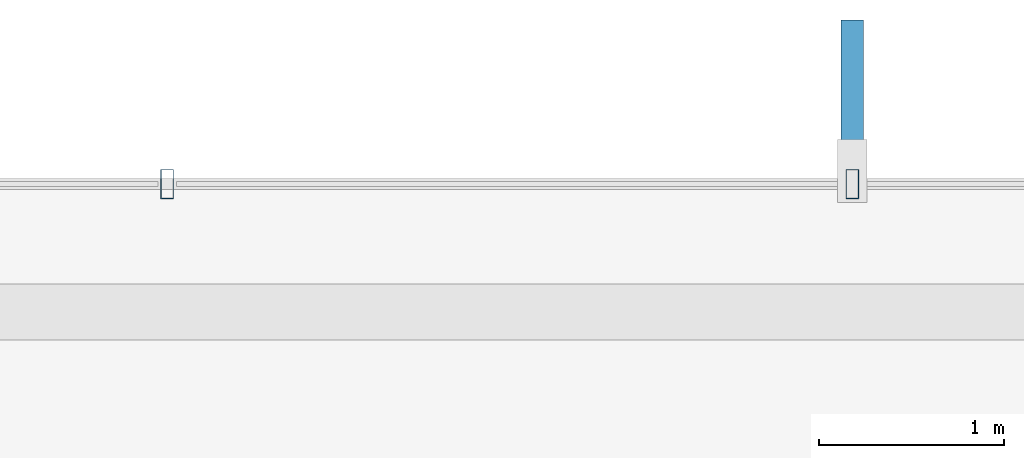
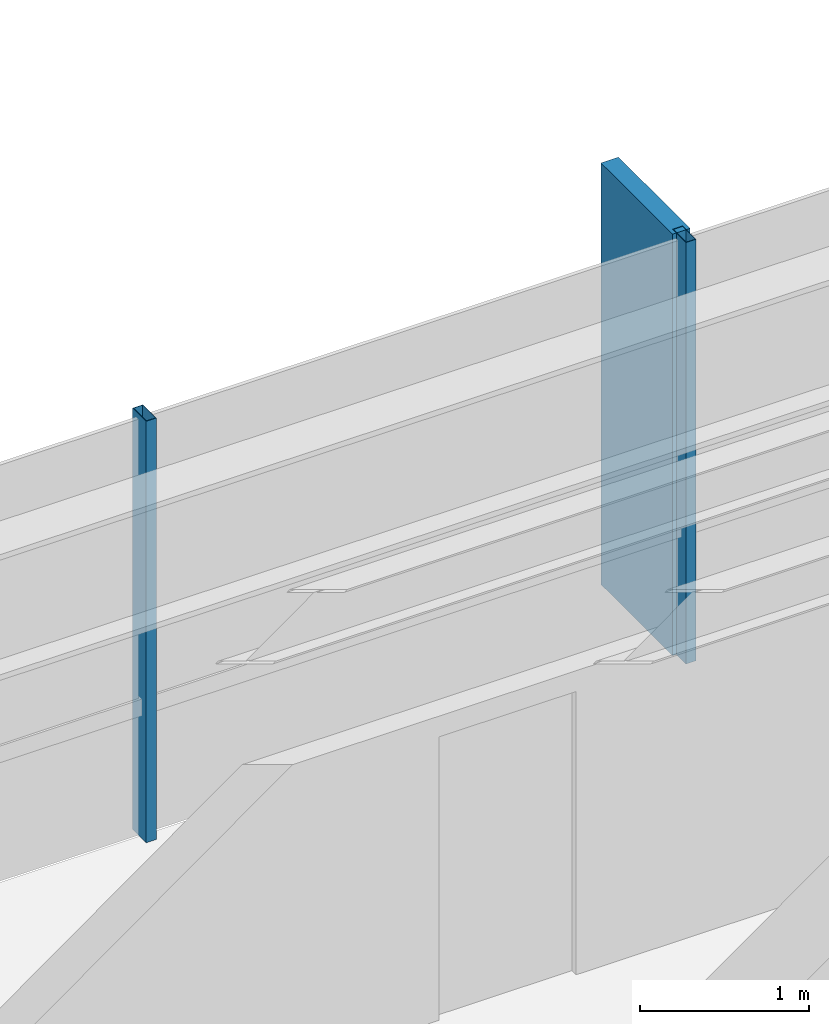
# One storey, part 14 of 24: 3 members, 1 element without a shape of its own.
"""IFC4 building model written with IfcOpenShell, lengths in metres."""

from ifc_helpers import new_model, si_unit, direction, frame, origin, origin_2d, place, context, subcontext, project, spatial, rectangle, hollow_rectangle, extrude, material, layer, layer_set, material_profile, profile_set, type_object, element, aggregate, save


model = new_model("IFC4")

# Units and contexts
model_context = context("Model", 3, precision=1e-05, world=origin(), true_north=direction((0.0, 1.0)))
body_context = subcontext(model_context, "Body", "Model", "MODEL_VIEW")
ifc_project = project(units=[si_unit("LENGTHUNIT", "METRE"), si_unit("AREAUNIT", "SQUARE_METRE"), si_unit("VOLUMEUNIT", "CUBIC_METRE"), si_unit("PLANEANGLEUNIT", "RADIAN"), si_unit("MASSUNIT", "GRAM", prefix="KILO")], contexts=[model_context])

# Site, building, storey
site_placement = place(None, origin())
site = spatial("IfcSite", under=ifc_project, at=site_placement, CompositionType="ELEMENT")
building_placement = place(site_placement, origin())
building = spatial("IfcBuilding", under=site, at=building_placement, Name="Zarrinselat Tower", CompositionType="ELEMENT")
storey_placement = place(building_placement, frame((0.0, 0.0, 249.56005859375)))
storey = spatial("IfcBuildingStorey", under=building, at=storey_placement, Name="L63", CompositionType="ELEMENT", Elevation=249.56005859375)

# Curtain wall, members
ifc_material_1 = material(Name="Extruded Aluminium Alloy EN AW-6063 T6", Category="aluminium")
ifc_layer = layer(ifc_material_1, 0.169921875)
ifc_layer_set = layer_set([ifc_layer], Name="Extruded Aluminium Alloy EN AW-6063 T6")
curtain_wall_type = type_object("IfcCurtainWallType", Name="CWS-RES", PredefinedType="NOTDEFINED", material=ifc_layer_set)
curtain_wall_placement = place(storey_placement, origin())
curtain_wall = element("IfcCurtainWall", 1, at=curtain_wall_placement, inside=storey, type_object=curtain_wall_type, Name="L63 Unitised Curtain Wall CW-L63-E01", PredefinedType="NOTDEFINED")
ifc_material_2 = material(Name="Extruded Aluminium Alloy EN AW-6063 T6", Category="aluminium")
ifc_material_profile_1 = material_profile(ifc_material_2, hollow_rectangle(XDim=0.070068359375, YDim=0.159912109375, WallThickness=0.00390625, at=origin_2d()), Name="RHS 160x70x4")
ifc_profile_set_1 = profile_set([ifc_material_profile_1], Name="Extruded Aluminium Alloy EN AW-6063 T6")
member_type_1 = type_object("IfcMemberType", Name="MEM-CW-MUL2", PredefinedType="MULLION", material=ifc_profile_set_1)
member_1_placement = place(storey_placement, frame((46.115966796875, 47.944580078125, 0.0), z_axis=(0.0, 0.0, 1.0), x_axis=(-1.0, 0.0, 0.0)))
member_1 = element("IfcMember", 2, at=member_1_placement, type_object=member_type_1, Name="CW-L63-E01 Mullion 3", PredefinedType="MULLION", context=body_context, shape_type="SweptSolid", body=[
    extrude(hollow_rectangle(XDim=0.070068359375, YDim=0.159912109375, WallThickness=0.00390625, at=origin_2d()), origin(), (0.0, 0.0, 1.0), 3.050048828125),
])
member_2_placement = place(storey_placement, frame((42.42138671875, 47.944580078125, 0.0), z_axis=(0.0, 0.0, 1.0), x_axis=(-1.0, 0.0, 0.0)))
member_2 = element("IfcMember", 3, at=member_2_placement, type_object=member_type_1, Name="CW-L63-E01 Mullion 4", PredefinedType="MULLION", context=body_context, shape_type="SweptSolid", body=[
    extrude(hollow_rectangle(XDim=0.070068359375, YDim=0.159912109375, WallThickness=0.00390625, at=origin_2d()), origin(), (0.0, 0.0, 1.0), 3.050048828125),
])
ifc_material_3 = material(Name="Honed Cream Travertine Stone", Category="masonry")
ifc_material_profile_2 = material_profile(ifc_material_3, rectangle(XDim=0.1201171875, YDim=0.85009765625, at=origin_2d()), Name="FIN 850x120")
ifc_profile_set_2 = profile_set([ifc_material_profile_2], Name="Honed Cream Travertine Stone")
member_type_2 = type_object("IfcMemberType", Name="MEM-STONE-FIN", PredefinedType="USERDEFINED", material=ifc_profile_set_2)
member_3_placement = place(storey_placement, frame((46.115966796875, 48.404541015625, 0.0), z_axis=(0.0, 0.0, 1.0), x_axis=(1.0, 0.0, 0.0)))
member_3 = element("IfcMember", 4, at=member_3_placement, type_object=member_type_2, Name="L63 Stone Shading Fin CW-L63-E01-03", ObjectType="FIN", PredefinedType="USERDEFINED", context=body_context, shape_type="SweptSolid", body=[
    extrude(rectangle(XDim=0.1201171875, YDim=0.85009765625, at=origin_2d()), origin(), (0.0, 0.0, 1.0), 3.050048828125),
])
aggregate(curtain_wall, [member_1, member_3, member_2])

save(model, "model.ifc")
